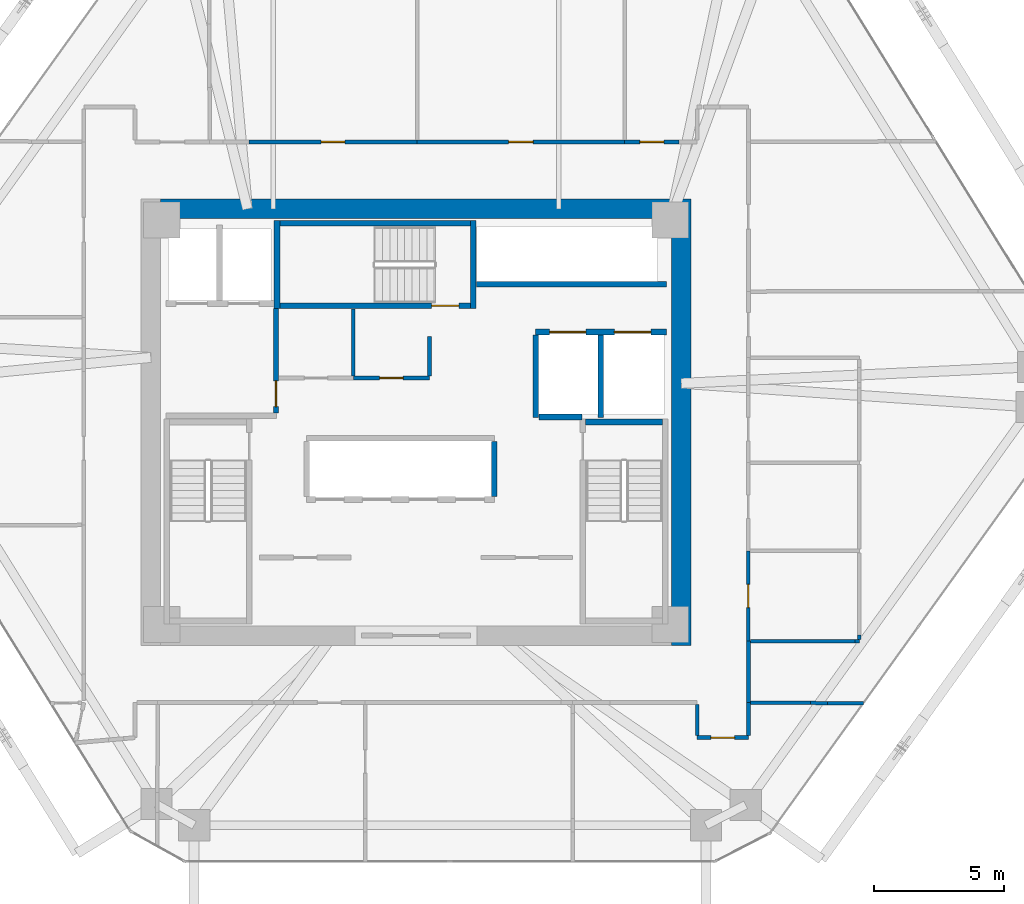
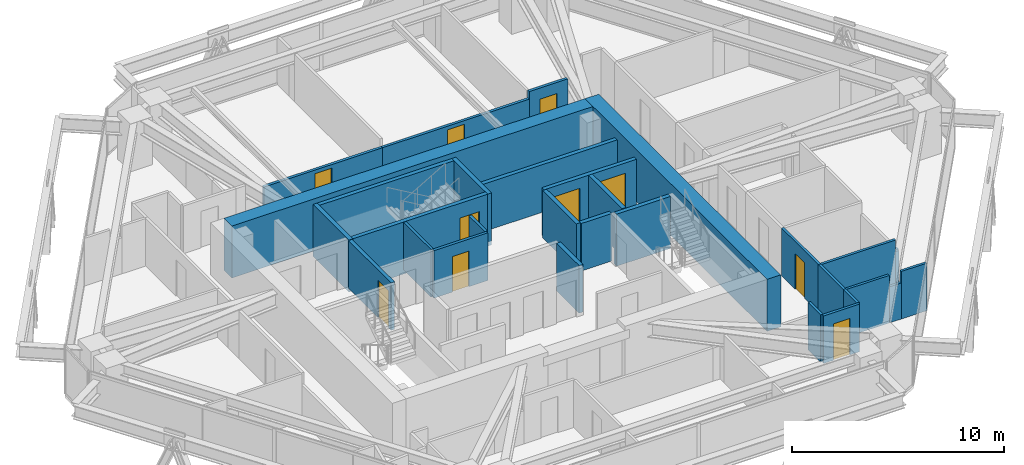
# One storey, part 14 of 17: 31 walls, 10 doors, 10 openings.
"""IFC4 building model written with IfcOpenShell, lengths in metres."""

from ifc_helpers import new_model, si_unit, direction, frame, frame_2d, origin, place, context, subcontext, project, spatial, rectangle, extrude, source, transform, mapped, material, layer, layer_set, type_object, type_shapes, element, fill, save


model = new_model("IFC4")

# Units and contexts
model_context = context("Model", 3, precision=1e-05, world=origin(), true_north=direction((0.0, 1.0)))
body_context = subcontext(model_context, "Body", "Model", "MODEL_VIEW")
ifc_project = project(units=[si_unit("LENGTHUNIT", "METRE"), si_unit("AREAUNIT", "SQUARE_METRE"), si_unit("VOLUMEUNIT", "CUBIC_METRE"), si_unit("PLANEANGLEUNIT", "RADIAN"), si_unit("MASSUNIT", "GRAM", prefix="KILO")], contexts=[model_context])

# Site, building, storey
site_placement = place(None, origin())
site = spatial("IfcSite", under=ifc_project, at=site_placement, CompositionType="ELEMENT")
building_placement = place(site_placement, origin())
building = spatial("IfcBuilding", under=site, at=building_placement, Name="Durnholm Broadcast Tower", CompositionType="ELEMENT")
storey_placement = place(building_placement, frame((0.0, 0.0, 143.10009765625)))
storey = spatial("IfcBuildingStorey", under=building, at=storey_placement, Name="L39", CompositionType="ELEMENT", Elevation=143.10009765625)

# Walls
ifc_material_1 = material(Name="Concrete C70/85", Category="concrete")
ifc_layer_1 = layer(ifc_material_1, 0.75)
ifc_layer_set_1 = layer_set([ifc_layer_1], Name="Concrete C70/85")
wall_type_1 = type_object("IfcWallType", Name="WALL-CW-750", PredefinedType="SHEAR", material=ifc_layer_set_1)
wall_1_placement = place(storey_placement, frame((10.22509765625, -8.60009765625, 0.0), z_axis=(0.0, 0.0, 1.0), x_axis=(0.0, 1.0, 0.0)))
element("IfcWall", 1, at=wall_1_placement, inside=storey, type_object=wall_type_1, Name="L39 central core shear wall CW-EAST", PredefinedType="SHEAR", context=body_context, shape_type="SweptSolid", body=[
    extrude(rectangle(XDim=17.2001953125, YDim=0.75, at=frame_2d((8.60009765625, 0.0))), origin(), (0.0, 0.0, 1.0), 3.0),
])
wall_2_placement = place(storey_placement, frame((-9.85009765625, 8.22509765625, 0.0), z_axis=(0.0, 0.0, 1.0), x_axis=(1.0, 0.0, 0.0)))
element("IfcWall", 2, at=wall_2_placement, inside=storey, type_object=wall_type_1, Name="L39 central core shear wall CW-N", PredefinedType="SHEAR", context=body_context, shape_type="SweptSolid", body=[
    extrude(rectangle(XDim=19.7001953125, YDim=0.75, at=frame_2d((9.85009765625, 0.0))), origin(), (0.0, 0.0, 1.0), 3.0),
])

# Wall, opening, door
ifc_material_2 = material(Name="Fire-Rated Gypsum Shaftwall", Category="concrete")
ifc_layer_2 = layer(ifc_material_2, 0.199951171875)
ifc_layer_set_2 = layer_set([ifc_layer_2], Name="Fire-Rated Gypsum Shaftwall")
wall_type_2 = type_object("IfcWallType", Name="WALL-LOB-200", PredefinedType="SOLIDWALL", material=ifc_layer_set_2)
wall_3_placement = place(storey_placement, frame((-5.39990234375, 0.35400390625, 0.0), z_axis=(0.0, 0.0, 1.0), x_axis=(0.0, 1.0, 0.0)))
wall_3 = element("IfcWall", 3, at=wall_3_placement, inside=storey, type_object=wall_type_2, Name="L39 Fire Service Access Elevator lobby east fire wall", PredefinedType="SOLIDWALL", context=body_context, shape_type="SweptSolid", body=[
    extrude(rectangle(XDim=4.02587890625, YDim=0.199951171875, at=frame_2d((2.012939453125, 0.0))), origin(), (0.0, 0.0, 1.0), 2.744873046875),
])
opening_1_placement = place(wall_3_placement, frame((0.24609375, 0.0, 0.0)))
opening_1 = element("IfcOpeningElement", 4, at=opening_1_placement, cuts=wall_3, Name="Opening DL-60R", PredefinedType="OPENING", context=body_context, shape_type="SweptSolid", body=[
    extrude(rectangle(XDim=1.0, YDim=2.14990234375, at=frame_2d((0.5, 1.074951171875))), frame((0.0, 0.10986328125, 0.0), z_axis=(0.0, -1.0, 0.0), x_axis=(1.0, 0.0, 0.0)), (0.0, 0.0, 1.0), 0.219970703125),
])
ifc_material_3 = material(Name="Fire-Rated Timber/Steel Door", Category="steel")
ifc_layer_3 = layer(ifc_material_3, 0.050048828125)
ifc_layer_set_3 = layer_set([ifc_layer_3], Name="Fire-Rated Timber/Steel Door")
door_type_1 = type_object("IfcDoorType", Name="DOOR-LOB-FD60-R", OperationType="NOTDEFINED", PredefinedType="DOOR", material=ifc_layer_set_3)
shared_shape_1 = source(origin(), body_context, "Body", "SweptSolid", [
    extrude(rectangle(XDim=1.0, YDim=2.14990234375, at=frame_2d((0.5, 1.074951171875))), frame((0.0, 0.02490234375, 0.0), z_axis=(0.0, -1.0, 0.0), x_axis=(1.0, 0.0, 0.0)), (0.0, 0.0, 1.0), 0.050048828125),
])
type_shapes(door_type_1, [shared_shape_1])
door_1_placement = place(opening_1_placement, origin())
door_1 = element("IfcDoor", 5, at=door_1_placement, inside=storey, type_object=door_type_1, Name="L39 Fire Service Access Elevator lobby smoke door", OperationType="SINGLE_SWING_RIGHT", OverallHeight=2.14990234375, OverallWidth=1.0, PredefinedType="DOOR", context=body_context, shape_type="MappedRepresentation", body=[
    mapped(shared_shape_1, transform((0.0, 0.0, 0.0), x_axis=(1.0, 0.0, 0.0), y_axis=(0.0, 1.0, 0.0), z_axis=(0.0, 0.0, 1.0), scale=1.0)),
])
fill(opening_1, door_1)

# Walls
ifc_material_4 = material(Name="Gypsum Metal Stud Partition", Category="concrete")
ifc_layer_4 = layer(ifc_material_4, 0.135009765625)
ifc_layer_set_4 = layer_set([ifc_layer_4], Name="Gypsum Metal Stud Partition")
wall_type_3 = type_object("IfcWallType", Name="WALL-PART-135", PredefinedType="PARTITIONING", material=ifc_layer_set_4)
wall_4_placement = place(storey_placement, frame((-2.419921875, 4.375, 0.0), z_axis=(0.0, 0.0, 1.0), x_axis=(0.0, -1.0, 0.0)))
element("IfcWall", 6, at=wall_4_placement, inside=storey, type_object=wall_type_3, Name="L39 room dividing partition 3.4", PredefinedType="PARTITIONING", context=body_context, shape_type="SweptSolid", body=[
    extrude(rectangle(XDim=2.5859375, YDim=0.135009765625, at=frame_2d((1.29296875, 0.0))), origin(), (0.0, 0.0, 1.0), 2.744873046875),
])
wall_5_placement = place(storey_placement, frame((12.888916015625, -10.810302734375, 0.0), z_axis=(0.0, 0.0, 1.0), x_axis=(0.999986120669, -0.005268630773, 0.0)))
element("IfcWall", 7, at=wall_5_placement, inside=storey, type_object=wall_type_3, Name="L39 room dividing partition 15.19", PredefinedType="PARTITIONING", context=body_context, shape_type="SweptSolid", body=[
    extrude(rectangle(XDim=2.31689453125, YDim=0.135009765625, at=frame_2d((1.158447265625, 0.0))), origin(), (0.0, 0.0, 1.0), 2.744873046875),
])
wall_6_placement = place(storey_placement, frame((15.85498046875, -10.825927734375, 0.0), z_axis=(0.0, 0.0, 1.0), x_axis=(0.999986174138, -0.005258472432, 0.0)))
element("IfcWall", 8, at=wall_6_placement, inside=storey, type_object=wall_type_3, Name="L39 room dividing partition 15.19", PredefinedType="PARTITIONING", context=body_context, shape_type="SweptSolid", body=[
    extrude(rectangle(XDim=1.392822265625, YDim=0.135009765625, at=frame_2d((0.6962890625, 0.0))), origin(), (0.0, 0.0, 1.0), 2.744873046875),
])
wall_7_placement = place(storey_placement, frame((15.205810546875, -10.822509765625, 0.0), z_axis=(0.0, 0.0, 1.0), x_axis=(0.999986139453, -0.005265064292, 0.0)))
element("IfcWall", 9, at=wall_7_placement, inside=storey, type_object=wall_type_3, Name="L39 room dividing partition 15.19", PredefinedType="PARTITIONING", context=body_context, shape_type="SweptSolid", body=[
    extrude(rectangle(XDim=0.649169921875, YDim=0.135009765625, at=frame_2d((0.32470703125, 0.0))), origin(), (0.0, 0.0, 1.0), 2.079833984375),
])

# Wall, opening, door
ifc_material_5 = material(Name="Acoustic Gypsum Stud Partition", Category="concrete")
ifc_layer_5 = layer(ifc_material_5, 0.14990234375)
ifc_layer_set_5 = layer_set([ifc_layer_5], Name="Acoustic Gypsum Stud Partition")
wall_type_4 = type_object("IfcWallType", Name="WALL-PART-150", PredefinedType="PARTITIONING", material=ifc_layer_set_5)
wall_8_placement = place(storey_placement, frame((0.52001953125, 1.7099609375, 0.0), z_axis=(0.0, 0.0, 1.0), x_axis=(-1.0, 0.0, 0.0)))
wall_8 = element("IfcWall", 10, at=wall_8_placement, inside=storey, type_object=wall_type_4, Name="L39 Core Mail and Supply Room corridor partition", PredefinedType="PARTITIONING", context=body_context, shape_type="SweptSolid", body=[
    extrude(rectangle(XDim=2.93994140625, YDim=0.14990234375, at=frame_2d((1.469970703125, 0.0))), origin(), (0.0, 0.0, 1.0), 2.744873046875),
])
opening_2_placement = place(wall_8_placement, frame((1.02001953125, 0.0, 0.0)))
opening_2 = element("IfcOpeningElement", 11, at=opening_2_placement, cuts=wall_8, Name="Opening DC-60L", PredefinedType="OPENING", context=body_context, shape_type="SweptSolid", body=[
    extrude(rectangle(XDim=0.89990234375, YDim=2.050048828125, at=frame_2d((0.449951171875, 1.02490234375))), frame((0.0, 0.0849609375, 0.0), z_axis=(0.0, -1.0, 0.0), x_axis=(1.0, 0.0, 0.0)), (0.0, 0.0, 1.0), 0.169921875),
])
ifc_material_6 = material(Name="Fire-Rated Core Service Door", Category="steel")
ifc_layer_6 = layer(ifc_material_6, 0.050048828125)
ifc_layer_set_6 = layer_set([ifc_layer_6], Name="Fire-Rated Core Service Door")
door_type_2 = type_object("IfcDoorType", Name="DOOR-CORE-FD60-L", OperationType="NOTDEFINED", PredefinedType="DOOR", material=ifc_layer_set_6)
shared_shape_2 = source(origin(), body_context, "Body", "SweptSolid", [
    extrude(rectangle(XDim=0.89990234375, YDim=2.050048828125, at=frame_2d((0.449951171875, 1.02490234375))), frame((0.0, 0.02490234375, 0.0), z_axis=(0.0, -1.0, 0.0), x_axis=(1.0, 0.0, 0.0)), (0.0, 0.0, 1.0), 0.050048828125),
])
type_shapes(door_type_2, [shared_shape_2])
door_2_placement = place(opening_2_placement, origin())
door_2 = element("IfcDoor", 12, at=door_2_placement, inside=storey, type_object=door_type_2, Name="L39 Core Mail and Supply Room entrance door", OperationType="SINGLE_SWING_LEFT", OverallHeight=2.050048828125, OverallWidth=0.89990234375, PredefinedType="DOOR", context=body_context, shape_type="MappedRepresentation", body=[
    mapped(shared_shape_2, transform((0.0, 0.0, 0.0), x_axis=(1.0, 0.0, 0.0), y_axis=(0.0, 1.0, 0.0), z_axis=(0.0, 0.0, 1.0), scale=1.0)),
])
fill(opening_2, door_2)

# Wall
wall_9_placement = place(storey_placement, frame((0.52001953125, 3.300048828125, 0.0), z_axis=(0.0, 0.0, 1.0), x_axis=(0.0, -1.0, 0.0)))
element("IfcWall", 13, at=wall_9_placement, inside=storey, type_object=wall_type_4, Name="L39 Core Mail and Supply Room corridor partition", PredefinedType="PARTITIONING", context=body_context, shape_type="SweptSolid", body=[
    extrude(rectangle(XDim=1.510986328125, YDim=0.14990234375, at=frame_2d((0.75537109375, 0.0))), origin(), (0.0, 0.0, 1.0), 2.744873046875),
])

# Wall, opening, door
wall_10_placement = place(storey_placement, frame((0.0400390625, 10.81005859375, 0.0), z_axis=(0.0, 0.0, 1.0), x_axis=(-1.0, 0.0, 0.0)))
wall_10 = element("IfcWall", 14, at=wall_10_placement, inside=storey, type_object=wall_type_4, Name="L39 Compliance Office 2 corridor partition", PredefinedType="PARTITIONING", context=body_context, shape_type="SweptSolid", body=[
    extrude(rectangle(XDim=6.481201171875, YDim=0.14990234375, at=frame_2d((3.24072265625, 0.0))), origin(), (0.0, 0.0, 1.0), 2.30810546875),
])
opening_3_placement = place(wall_10_placement, frame((2.780517578125, 0.0, 0.0)))
opening_3 = element("IfcOpeningElement", 15, at=opening_3_placement, cuts=wall_10, Name="Opening DR-92R", PredefinedType="OPENING", context=body_context, shape_type="SweptSolid", body=[
    extrude(rectangle(XDim=0.919921875, YDim=2.10009765625, at=frame_2d((0.4599609375, 1.050048828125))), frame((0.0, 0.0849609375, 0.0), z_axis=(0.0, -1.0, 0.0), x_axis=(1.0, 0.0, 0.0)), (0.0, 0.0, 1.0), 0.169921875),
])
ifc_material_7 = material(Name="Oak Veneer Office Door", Category="wood")
ifc_layer_7 = layer(ifc_material_7, 0.050048828125)
ifc_layer_set_7 = layer_set([ifc_layer_7], Name="Oak Veneer Office Door")
door_type_3 = type_object("IfcDoorType", Name="DOOR-RM-920R", OperationType="NOTDEFINED", PredefinedType="DOOR", material=ifc_layer_set_7)
shared_shape_3 = source(origin(), body_context, "Body", "SweptSolid", [
    extrude(rectangle(XDim=0.919921875, YDim=2.10009765625, at=frame_2d((0.4599609375, 1.050048828125))), frame((0.0, 0.02490234375, 0.0), z_axis=(0.0, -1.0, 0.0), x_axis=(1.0, 0.0, 0.0)), (0.0, 0.0, 1.0), 0.050048828125),
])
type_shapes(door_type_3, [shared_shape_3])
door_3_placement = place(opening_3_placement, origin())
door_3 = element("IfcDoor", 16, at=door_3_placement, inside=storey, type_object=door_type_3, Name="L39 Compliance Office 2 entrance door", OperationType="SINGLE_SWING_RIGHT", OverallHeight=2.10009765625, OverallWidth=0.919921875, PredefinedType="DOOR", context=body_context, shape_type="MappedRepresentation", body=[
    mapped(shared_shape_3, transform((0.0, 0.0, 0.0), x_axis=(1.0, 0.0, 0.0), y_axis=(0.0, 1.0, 0.0), z_axis=(0.0, 0.0, 1.0), scale=1.0)),
])
fill(opening_3, door_3)

wall_11_placement = place(storey_placement, frame((8.0400390625, 10.81005859375, 0.0), z_axis=(0.0, 0.0, 1.0), x_axis=(-1.0, 0.0, 0.0)))
wall_11 = element("IfcWall", 17, at=wall_11_placement, inside=storey, type_object=wall_type_4, Name="L39 Captioning Office corridor partition", PredefinedType="PARTITIONING", context=body_context, shape_type="SweptSolid", body=[
    extrude(rectangle(XDim=8.0, YDim=0.14990234375, at=frame_2d((4.0, 0.0))), origin(), (0.0, 0.0, 1.0), 2.30810546875),
])
opening_4_placement = place(wall_11_placement, frame((3.52490234375, 0.0, 0.0)))
opening_4 = element("IfcOpeningElement", 18, at=opening_4_placement, cuts=wall_11, Name="Opening DR-95L", PredefinedType="OPENING", context=body_context, shape_type="SweptSolid", body=[
    extrude(rectangle(XDim=0.949951171875, YDim=2.10009765625, at=frame_2d((0.47509765625, 1.050048828125))), frame((0.0, 0.0849609375, 0.0), z_axis=(0.0, -1.0, 0.0), x_axis=(1.0, 0.0, 0.0)), (0.0, 0.0, 1.0), 0.169921875),
])
ifc_material_8 = material(Name="Acoustic Oak Veneer Timber Door", Category="wood")
ifc_layer_8 = layer(ifc_material_8, 0.050048828125)
ifc_layer_set_8 = layer_set([ifc_layer_8], Name="Acoustic Oak Veneer Timber Door")
door_type_4 = type_object("IfcDoorType", Name="DOOR-RM-950L", OperationType="NOTDEFINED", PredefinedType="DOOR", material=ifc_layer_set_8)
shared_shape_4 = source(origin(), body_context, "Body", "SweptSolid", [
    extrude(rectangle(XDim=0.949951171875, YDim=2.10009765625, at=frame_2d((0.47509765625, 1.050048828125))), frame((0.0, 0.02490234375, 0.0), z_axis=(0.0, -1.0, 0.0), x_axis=(1.0, 0.0, 0.0)), (0.0, 0.0, 1.0), 0.050048828125),
])
type_shapes(door_type_4, [shared_shape_4])
door_4_placement = place(opening_4_placement, origin())
door_4 = element("IfcDoor", 19, at=door_4_placement, inside=storey, type_object=door_type_4, Name="L39 Captioning Office entrance door", OperationType="SINGLE_SWING_LEFT", OverallHeight=2.10009765625, OverallWidth=0.949951171875, PredefinedType="DOOR", context=body_context, shape_type="MappedRepresentation", body=[
    mapped(shared_shape_4, transform((0.0, 0.0, 0.0), x_axis=(1.0, 0.0, 0.0), y_axis=(0.0, 1.0, 0.0), z_axis=(0.0, 0.0, 1.0), scale=1.0)),
])
fill(opening_4, door_4)

wall_12_placement = place(storey_placement, frame((10.1416015625, 10.81005859375, 0.0), z_axis=(0.0, 0.0, 1.0), x_axis=(-1.0, 0.0, 0.0)))
wall_12 = element("IfcWall", 20, at=wall_12_placement, inside=storey, type_object=wall_type_4, Name="L39 Open Plan Broadcast Workspace 5 corridor partition", PredefinedType="PARTITIONING", context=body_context, shape_type="SweptSolid", body=[
    extrude(rectangle(XDim=2.1015625, YDim=0.14990234375, at=frame_2d((1.05078125, 0.0))), origin(), (0.0, 0.0, 1.0), 2.744873046875),
])
opening_5_placement = place(wall_12_placement, frame((0.5908203125, 0.0, 0.0)))
opening_5 = element("IfcOpeningElement", 21, at=opening_5_placement, cuts=wall_12, Name="Opening DR-92R", PredefinedType="OPENING", context=body_context, shape_type="SweptSolid", body=[
    extrude(rectangle(XDim=0.919921875, YDim=2.10009765625, at=frame_2d((0.4599609375, 1.050048828125))), frame((0.0, 0.0849609375, 0.0), z_axis=(0.0, -1.0, 0.0), x_axis=(1.0, 0.0, 0.0)), (0.0, 0.0, 1.0), 0.169921875),
])
door_5_placement = place(opening_5_placement, origin())
door_5 = element("IfcDoor", 22, at=door_5_placement, inside=storey, type_object=door_type_3, Name="L39 Open Plan Broadcast Workspace 5 entrance door", OperationType="SINGLE_SWING_RIGHT", OverallHeight=2.10009765625, OverallWidth=0.919921875, PredefinedType="DOOR", context=body_context, shape_type="MappedRepresentation", body=[
    mapped(shared_shape_3, transform((0.0, 0.0, 0.0), x_axis=(1.0, 0.0, 0.0), y_axis=(0.0, 1.0, 0.0), z_axis=(0.0, 0.0, 1.0), scale=1.0)),
])
fill(opening_5, door_5)

wall_13_placement = place(storey_placement, frame((10.840087890625, -12.159912109375, 0.0), z_axis=(0.0, 0.0, 1.0), x_axis=(1.0, 0.0, 0.0)))
wall_13 = element("IfcWall", 23, at=wall_13_placement, inside=storey, type_object=wall_type_4, Name="L39 Open Plan Broadcast Workspace 3 corridor partition", PredefinedType="PARTITIONING", context=body_context, shape_type="SweptSolid", body=[
    extrude(rectangle(XDim=1.969970703125, YDim=0.14990234375, at=frame_2d((0.98486328125, 0.0))), origin(), (0.0, 0.0, 1.0), 2.744873046875),
])
opening_6_placement = place(wall_13_placement, frame((0.52490234375, 0.0, 0.0)))
opening_6 = element("IfcOpeningElement", 24, at=opening_6_placement, cuts=wall_13, Name="Opening DR-92L", PredefinedType="OPENING", context=body_context, shape_type="SweptSolid", body=[
    extrude(rectangle(XDim=0.919921875, YDim=2.10009765625, at=frame_2d((0.4599609375, 1.050048828125))), frame((0.0, 0.0849609375, 0.0), z_axis=(0.0, -1.0, 0.0), x_axis=(1.0, 0.0, 0.0)), (0.0, 0.0, 1.0), 0.169921875),
])
ifc_layer_9 = layer(ifc_material_7, 0.050048828125)
ifc_layer_set_9 = layer_set([ifc_layer_9], Name="Oak Veneer Office Door")
door_type_5 = type_object("IfcDoorType", Name="DOOR-RM-920L", OperationType="NOTDEFINED", PredefinedType="DOOR", material=ifc_layer_set_9)
shared_shape_5 = source(origin(), body_context, "Body", "SweptSolid", [
    extrude(rectangle(XDim=0.919921875, YDim=2.10009765625, at=frame_2d((0.4599609375, 1.050048828125))), frame((0.0, 0.02490234375, 0.0), z_axis=(0.0, -1.0, 0.0), x_axis=(1.0, 0.0, 0.0)), (0.0, 0.0, 1.0), 0.050048828125),
])
type_shapes(door_type_5, [shared_shape_5])
door_6_placement = place(opening_6_placement, origin())
door_6 = element("IfcDoor", 25, at=door_6_placement, inside=storey, type_object=door_type_5, Name="L39 Open Plan Broadcast Workspace 3 entrance door", OperationType="SINGLE_SWING_LEFT", OverallHeight=2.10009765625, OverallWidth=0.919921875, PredefinedType="DOOR", context=body_context, shape_type="MappedRepresentation", body=[
    mapped(shared_shape_5, transform((0.0, 0.0, 0.0), x_axis=(1.0, 0.0, 0.0), y_axis=(0.0, 1.0, 0.0), z_axis=(0.0, 0.0, 1.0), scale=1.0)),
])
fill(opening_6, door_6)

# Walls
wall_14_placement = place(storey_placement, frame((10.840087890625, -10.888916015625, 0.0), z_axis=(0.0, 0.0, 1.0), x_axis=(0.0, -1.0, 0.0)))
element("IfcWall", 26, at=wall_14_placement, inside=storey, type_object=wall_type_4, Name="L39 Open Plan Broadcast Workspace 3 corridor partition", PredefinedType="PARTITIONING", context=body_context, shape_type="SweptSolid", body=[
    extrude(rectangle(XDim=1.192138671875, YDim=0.14990234375, at=frame_2d((0.59619140625, 0.0))), origin(), (0.0, 0.0, 1.0), 2.744873046875),
])
wall_15_placement = place(storey_placement, frame((12.81005859375, -12.0810546875, 0.0), z_axis=(0.0, 0.0, 1.0), x_axis=(0.0, 1.0, 0.0)))
element("IfcWall", 27, at=wall_15_placement, inside=storey, type_object=wall_type_4, Name="L39 Open Plan Broadcast Workspace 3 corridor partition", PredefinedType="PARTITIONING", context=body_context, shape_type="SweptSolid", body=[
    extrude(rectangle(XDim=1.27099609375, YDim=0.14990234375, at=frame_2d((0.635498046875, 0.0))), origin(), (0.0, 0.0, 1.0), 2.744873046875),
])
wall_16_placement = place(storey_placement, frame((12.81005859375, -10.81005859375, 0.0), z_axis=(0.0, 0.0, 1.0), x_axis=(0.0, 1.0, 0.0)))
element("IfcWall", 28, at=wall_16_placement, inside=storey, type_object=wall_type_4, Name="L39 Open Plan Broadcast Workspace 1 corridor partition", PredefinedType="PARTITIONING", context=body_context, shape_type="SweptSolid", body=[
    extrude(rectangle(XDim=2.3701171875, YDim=0.14990234375, at=frame_2d((1.18505859375, 0.0))), origin(), (0.0, 0.0, 1.0), 2.744873046875),
])

# Wall, openings, doors
ifc_material_9 = material(Name="Concrete Blockwork C30/37", Category="masonry")
ifc_layer_10 = layer(ifc_material_9, 0.219970703125)
ifc_layer_set_10 = layer_set([ifc_layer_10], Name="Concrete Blockwork C30/37")
wall_type_5 = type_object("IfcWallType", Name="WALL-SHAFT-220", PredefinedType="SOLIDWALL", material=ifc_layer_set_10)
wall_17_placement = place(storey_placement, frame((4.60009765625, 3.47998046875, 0.0), z_axis=(0.0, 0.0, 1.0), x_axis=(1.0, 0.0, 0.0)))
wall_17 = element("IfcWall", 29, at=wall_17_placement, inside=storey, type_object=wall_type_5, Name="L39 freight service lifts north front wall", PredefinedType="SOLIDWALL", context=body_context, shape_type="SweptSolid", body=[
    extrude(rectangle(XDim=5.0498046875, YDim=0.219970703125, at=frame_2d((2.52490234375, 0.0))), origin(), (0.0, 0.0, 1.0), 2.744873046875),
])
opening_7_placement = place(wall_17_placement, frame((0.550048828125, 0.0, 0.0)))
opening_7 = element("IfcOpeningElement", 30, at=opening_7_placement, cuts=wall_17, Name="Opening LD-SVL-2", PredefinedType="OPENING", context=body_context, shape_type="SweptSolid", body=[
    extrude(rectangle(XDim=1.39990234375, YDim=2.14990234375, at=frame_2d((0.699951171875, 1.074951171875))), frame((0.0, 0.1201171875, 0.0), z_axis=(0.0, -1.0, 0.0), x_axis=(1.0, 0.0, 0.0)), (0.0, 0.0, 1.0), 0.239990234375),
])
opening_8_placement = place(wall_17_placement, frame((3.050048828125, 0.0, 0.0)))
opening_8 = element("IfcOpeningElement", 31, at=opening_8_placement, cuts=wall_17, Name="Opening LD-SVL-1", PredefinedType="OPENING", context=body_context, shape_type="SweptSolid", body=[
    extrude(rectangle(XDim=1.39990234375, YDim=2.14990234375, at=frame_2d((0.699951171875, 1.074951171875))), frame((0.0, 0.1201171875, 0.0), z_axis=(0.0, -1.0, 0.0), x_axis=(1.0, 0.0, 0.0)), (0.0, 0.0, 1.0), 0.239990234375),
])
ifc_material_10 = material(Name="Freight Elevator Bi-Parting Sliding Landing Door", Category="steel")
ifc_layer_11 = layer(ifc_material_10, 0.050048828125)
ifc_layer_set_11 = layer_set([ifc_layer_11], Name="Freight Elevator Bi-Parting Sliding Landing Door")
door_type_6 = type_object("IfcDoorType", Name="DOOR-LIFT-SVL", OperationType="DOUBLE_DOOR_SLIDING", PredefinedType="DOOR", material=ifc_layer_set_11)
shared_shape_6 = source(origin(), body_context, "Body", "SweptSolid", [
    extrude(rectangle(XDim=1.39990234375, YDim=2.14990234375, at=frame_2d((0.699951171875, 1.074951171875))), frame((0.0, 0.02490234375, 0.0), z_axis=(0.0, -1.0, 0.0), x_axis=(1.0, 0.0, 0.0)), (0.0, 0.0, 1.0), 0.050048828125),
])
type_shapes(door_type_6, [shared_shape_6])
door_7_placement = place(opening_7_placement, origin())
door_7 = element("IfcDoor", 32, at=door_7_placement, inside=storey, type_object=door_type_6, Name="L39 freight service elevator SVL-2 sliding landing door", OperationType="DOUBLE_DOOR_SLIDING", OverallHeight=2.14990234375, OverallWidth=1.39990234375, PredefinedType="DOOR", context=body_context, shape_type="MappedRepresentation", body=[
    mapped(shared_shape_6, transform((0.0, 0.0, 0.0), x_axis=(1.0, 0.0, 0.0), y_axis=(0.0, 1.0, 0.0), z_axis=(0.0, 0.0, 1.0), scale=1.0)),
])
fill(opening_7, door_7)
door_8_placement = place(opening_8_placement, origin())
door_8 = element("IfcDoor", 33, at=door_8_placement, inside=storey, type_object=door_type_6, Name="L39 freight service elevator SVL-1 sliding landing door", OperationType="DOUBLE_DOOR_SLIDING", OverallHeight=2.14990234375, OverallWidth=1.39990234375, PredefinedType="DOOR", context=body_context, shape_type="MappedRepresentation", body=[
    mapped(shared_shape_6, transform((0.0, 0.0, 0.0), x_axis=(1.0, 0.0, 0.0), y_axis=(0.0, 1.0, 0.0), z_axis=(0.0, 0.0, 1.0), scale=1.0)),
])
fill(opening_8, door_8)

# Walls
for number, where, z_axis, x_axis, name in (
    (34, (4.6201171875, 0.179931640625, 0.0), (0.0, 0.0, 1.0), (0.0, 1.0, 0.0), "L39 freight service lift SVL-2 west wall"),
    (35, (7.1201171875, 0.179931640625, 0.0), (0.0, 0.0, 1.0), (0.0, 1.0, 0.0), "L39 freight service lifts divider wall"),
):
    element("IfcWall", number, at=place(storey_placement, frame(where, z_axis=z_axis, x_axis=x_axis)), inside=storey, type_object=wall_type_5, Name=name, PredefinedType="SOLIDWALL", context=body_context, shape_type="SweptSolid", body=[
        extrude(rectangle(XDim=3.18603515625, YDim=0.219970703125, at=frame_2d((1.593017578125, 0.0))), origin(), (0.0, 0.0, 1.0), 2.744873046875),
    ])
wall_18_placement = place(storey_placement, frame((4.73388671875, 0.199951171875, 0.0), z_axis=(0.0, 0.0, 1.0), x_axis=(1.0, 0.0, 0.0)))
element("IfcWall", 36, at=wall_18_placement, inside=storey, type_object=wall_type_5, Name="L39 freight service lift SVL-2 south wall", PredefinedType="SOLIDWALL", context=body_context, shape_type="SweptSolid", body=[
    extrude(rectangle(XDim=1.666015625, YDim=0.219970703125, at=frame_2d((0.8330078125, 0.0))), origin(), (0.0, 0.0, 1.0), 2.744873046875),
])
wall_19_placement = place(storey_placement, frame((3.02001953125, -2.865966796875, 0.0), z_axis=(0.0, 0.0, 1.0), x_axis=(0.0, 1.0, 0.0)))
element("IfcWall", 37, at=wall_19_placement, inside=storey, type_object=wall_type_5, Name="L39 mid-rise bank P2 east shaft wall", PredefinedType="SOLIDWALL", context=body_context, shape_type="SweptSolid", body=[
    extrude(rectangle(XDim=2.132080078125, YDim=0.219970703125, at=frame_2d((1.06591796875, 0.0))), origin(), (0.0, 0.0, 1.0), 2.744873046875),
])
wall_20_placement = place(storey_placement, frame((2.324951171875, 5.320068359375, 0.0), z_axis=(0.0, 0.0, 1.0), x_axis=(1.0, 0.0, 0.0)))
element("IfcWall", 38, at=wall_20_placement, inside=storey, type_object=wall_type_5, Name="L39 high-rise bank P3 south front wall", PredefinedType="SOLIDWALL", context=body_context, shape_type="SweptSolid", body=[
    extrude(rectangle(XDim=7.324951171875, YDim=0.219970703125, at=frame_2d((3.66259765625, 0.0))), origin(), (0.0, 0.0, 1.0), 2.744873046875),
])
ifc_material_11 = material(Name="Concrete C50/60", Category="concrete")
ifc_layer_12 = layer(ifc_material_11, 0.219970703125)
ifc_layer_set_12 = layer_set([ifc_layer_12], Name="Concrete C50/60")
wall_type_6 = type_object("IfcWallType", Name="WALL-SW-220", PredefinedType="SHEAR", material=ifc_layer_set_12)
wall_21_placement = place(storey_placement, frame((9.5, 0.010009765625, -0.239990234375), z_axis=(0.0, 0.0, 1.0), x_axis=(-1.0, 0.0, 0.0)))
element("IfcWall", 39, at=wall_21_placement, inside=storey, type_object=wall_type_6, Name="L39 stair ST-2 structural shaft wall N", PredefinedType="SHEAR", context=body_context, shape_type="SweptSolid", body=[
    extrude(rectangle(XDim=2.9599609375, YDim=0.219970703125, at=frame_2d((1.47998046875, 0.0))), origin(), (0.0, 0.0, 1.0), 3.0),
])
for number, where, z_axis, x_axis, name in (
    (40, (2.2099609375, 4.3798828125, -0.239990234375), (0.0, 0.0, 1.0), (0.0, 1.0, 0.0), "L39 stair ST-3 structural shaft wall E"),
    (41, (-5.360107421875, 7.780029296875, -0.239990234375), (0.0, 0.0, 1.0), (0.0, -1.0, 0.0), "L39 stair ST-3 structural shaft wall W"),
):
    element("IfcWall", number, at=place(storey_placement, frame(where, z_axis=z_axis, x_axis=x_axis)), inside=storey, type_object=wall_type_6, Name=name, PredefinedType="SHEAR", context=body_context, shape_type="SweptSolid", body=[
        extrude(rectangle(XDim=3.400146484375, YDim=0.219970703125, at=frame_2d((1.7001953125, 0.0))), origin(), (0.0, 0.0, 1.0), 3.0),
    ])

# Wall, opening, door
wall_22_placement = place(storey_placement, frame((-5.25, 4.489990234375, -0.239990234375), z_axis=(0.0, 0.0, 1.0), x_axis=(1.0, 0.0, 0.0)))
wall_22 = element("IfcWall", 42, at=wall_22_placement, inside=storey, type_object=wall_type_6, Name="L39 stair ST-3 structural shaft wall S", PredefinedType="SHEAR", context=body_context, shape_type="SweptSolid", body=[
    extrude(rectangle(XDim=7.35009765625, YDim=0.219970703125, at=frame_2d((3.675048828125, 0.0))), origin(), (0.0, 0.0, 1.0), 3.0),
])
opening_9_placement = place(wall_22_placement, frame((5.85009765625, 0.0, 0.0)))
opening_9 = element("IfcOpeningElement", 43, at=opening_9_placement, cuts=wall_22, Name="Opening DS-90L", PredefinedType="OPENING", context=body_context, shape_type="SweptSolid", body=[
    extrude(rectangle(XDim=1.050048828125, YDim=2.14990234375, at=frame_2d((0.52490234375, 1.074951171875))), frame((0.0, 0.1201171875, 0.0), z_axis=(0.0, -1.0, 0.0), x_axis=(1.0, 0.0, 0.0)), (0.0, 0.0, 1.0), 0.239990234375),
])
ifc_material_12 = material(Name="Fire-Rated Steel Door", Category="steel")
ifc_layer_13 = layer(ifc_material_12, 0.050048828125)
ifc_layer_set_13 = layer_set([ifc_layer_13], Name="Fire-Rated Steel Door")
door_type_7 = type_object("IfcDoorType", Name="DOOR-ST-FD90-L", OperationType="NOTDEFINED", PredefinedType="DOOR", material=ifc_layer_set_13)
shared_shape_7 = source(origin(), body_context, "Body", "SweptSolid", [
    extrude(rectangle(XDim=1.050048828125, YDim=2.14990234375, at=frame_2d((0.52490234375, 1.074951171875))), frame((0.0, 0.02490234375, 0.0), z_axis=(0.0, -1.0, 0.0), x_axis=(1.0, 0.0, 0.0)), (0.0, 0.0, 1.0), 0.050048828125),
])
type_shapes(door_type_7, [shared_shape_7])
door_9_placement = place(opening_9_placement, origin())
door_9 = element("IfcDoor", 44, at=door_9_placement, inside=storey, type_object=door_type_7, Name="L39 exit stair ST-3 fire door", OperationType="SINGLE_SWING_LEFT", OverallHeight=2.14990234375, OverallWidth=1.050048828125, PredefinedType="DOOR", context=body_context, shape_type="MappedRepresentation", body=[
    mapped(shared_shape_7, transform((0.0, 0.0, 0.0), x_axis=(1.0, 0.0, 0.0), y_axis=(0.0, 1.0, 0.0), z_axis=(0.0, 0.0, 1.0), scale=1.0)),
])
fill(opening_9, door_9)

# Wall
wall_23_placement = place(storey_placement, frame((2.10009765625, 7.669921875, -0.239990234375), z_axis=(0.0, 0.0, 1.0), x_axis=(-1.0, 0.0, 0.0)))
element("IfcWall", 45, at=wall_23_placement, inside=storey, type_object=wall_type_6, Name="L39 stair ST-3 structural shaft wall N", PredefinedType="SHEAR", context=body_context, shape_type="SweptSolid", body=[
    extrude(rectangle(XDim=7.35009765625, YDim=0.219970703125, at=frame_2d((3.675048828125, 0.0))), origin(), (0.0, 0.0, 1.0), 3.0),
])

# Wall, opening, door
ifc_material_13 = material(Name="Moisture-Resistant Tile Partition", Category="concrete")
ifc_layer_14 = layer(ifc_material_13, 0.139892578125)
ifc_layer_set_14 = layer_set([ifc_layer_14], Name="Moisture-Resistant Tile Partition")
wall_type_7 = type_object("IfcWallType", Name="WALL-WC-140", PredefinedType="PARTITIONING", material=ifc_layer_set_14)
wall_24_placement = place(storey_placement, frame((12.81005859375, -8.43994140625, 0.0), z_axis=(0.0, 0.0, 1.0), x_axis=(0.0, 1.0, 0.0)))
wall_24 = element("IfcWall", 46, at=wall_24_placement, inside=storey, type_object=wall_type_7, Name="L39 Men's Restroom corridor partition", PredefinedType="PARTITIONING", context=body_context, shape_type="SweptSolid", body=[
    extrude(rectangle(XDim=3.47998046875, YDim=0.139892578125, at=frame_2d((1.739990234375, 0.0))), origin(), (0.0, 0.0, 1.0), 2.744873046875),
])
opening_10_placement = place(wall_24_placement, frame((1.2900390625, 0.0, 0.0)))
opening_10 = element("IfcOpeningElement", 47, at=opening_10_placement, cuts=wall_24, Name="Opening DW-90R", PredefinedType="OPENING", context=body_context, shape_type="SweptSolid", body=[
    extrude(rectangle(XDim=0.89990234375, YDim=2.050048828125, at=frame_2d((0.449951171875, 1.02490234375))), frame((0.0, 0.080078125, 0.0), z_axis=(0.0, -1.0, 0.0), x_axis=(1.0, 0.0, 0.0)), (0.0, 0.0, 1.0), 0.159912109375),
])
ifc_material_14 = material(Name="Laminate Restroom Door", Category="steel")
ifc_layer_15 = layer(ifc_material_14, 0.050048828125)
ifc_layer_set_15 = layer_set([ifc_layer_15], Name="Laminate Restroom Door")
door_type_8 = type_object("IfcDoorType", Name="DOOR-WC-900R", OperationType="NOTDEFINED", PredefinedType="DOOR", material=ifc_layer_set_15)
shared_shape_8 = source(origin(), body_context, "Body", "SweptSolid", [
    extrude(rectangle(XDim=0.89990234375, YDim=2.050048828125, at=frame_2d((0.449951171875, 1.02490234375))), frame((0.0, 0.02490234375, 0.0), z_axis=(0.0, -1.0, 0.0), x_axis=(1.0, 0.0, 0.0)), (0.0, 0.0, 1.0), 0.050048828125),
])
type_shapes(door_type_8, [shared_shape_8])
door_10_placement = place(opening_10_placement, origin())
door_10 = element("IfcDoor", 48, at=door_10_placement, inside=storey, type_object=door_type_8, Name="L39 Men's Restroom entrance door", OperationType="SINGLE_SWING_RIGHT", OverallHeight=2.050048828125, OverallWidth=0.89990234375, PredefinedType="DOOR", context=body_context, shape_type="MappedRepresentation", body=[
    mapped(shared_shape_8, transform((0.0, 0.0, 0.0), x_axis=(1.0, 0.0, 0.0), y_axis=(0.0, 1.0, 0.0), z_axis=(0.0, 0.0, 1.0), scale=1.0)),
])
fill(opening_10, door_10)

# Walls
wall_25_placement = place(storey_placement, frame((16.91748046875, -8.43994140625, 0.0), z_axis=(0.0, 0.0, 1.0), x_axis=(-1.0, 0.0, 0.0)))
element("IfcWall", 49, at=wall_25_placement, inside=storey, type_object=wall_type_7, Name="L39 room dividing partition 5.19", PredefinedType="PARTITIONING", context=body_context, shape_type="SweptSolid", body=[
    extrude(rectangle(XDim=4.028564453125, YDim=0.139892578125, at=frame_2d((2.01416015625, 0.0))), origin(), (0.0, 0.0, 1.0), 2.744873046875),
])
wall_26_placement = place(storey_placement, frame((17.090087890625, -8.43994140625, 0.0), z_axis=(0.0, 0.0, 1.0), x_axis=(-1.0, 0.0, 0.0)))
element("IfcWall", 50, at=wall_26_placement, inside=storey, type_object=wall_type_7, Name="L39 room dividing partition 5.19", PredefinedType="PARTITIONING", context=body_context, shape_type="SweptSolid", body=[
    extrude(rectangle(XDim=0.172607421875, YDim=0.139892578125, at=frame_2d((0.08642578125, 0.0))), origin(), (0.0, 0.0, 1.0), 2.079833984375),
])
wall_27_placement = place(storey_placement, frame((17.090087890625, -8.19970703125, 0.0), z_axis=(0.0, 0.0, 1.0), x_axis=(0.0, -1.0, 0.0)))
element("IfcWall", 51, at=wall_27_placement, inside=storey, type_object=wall_type_7, Name="L39 room dividing partition 5.19", PredefinedType="PARTITIONING", context=body_context, shape_type="SweptSolid", body=[
    extrude(rectangle(XDim=0.166259765625, YDim=0.139892578125, at=frame_2d((0.0830078125, 0.0))), origin(), (0.0, 0.0, 1.0), 2.079833984375),
])

save(model, "model.ifc")
